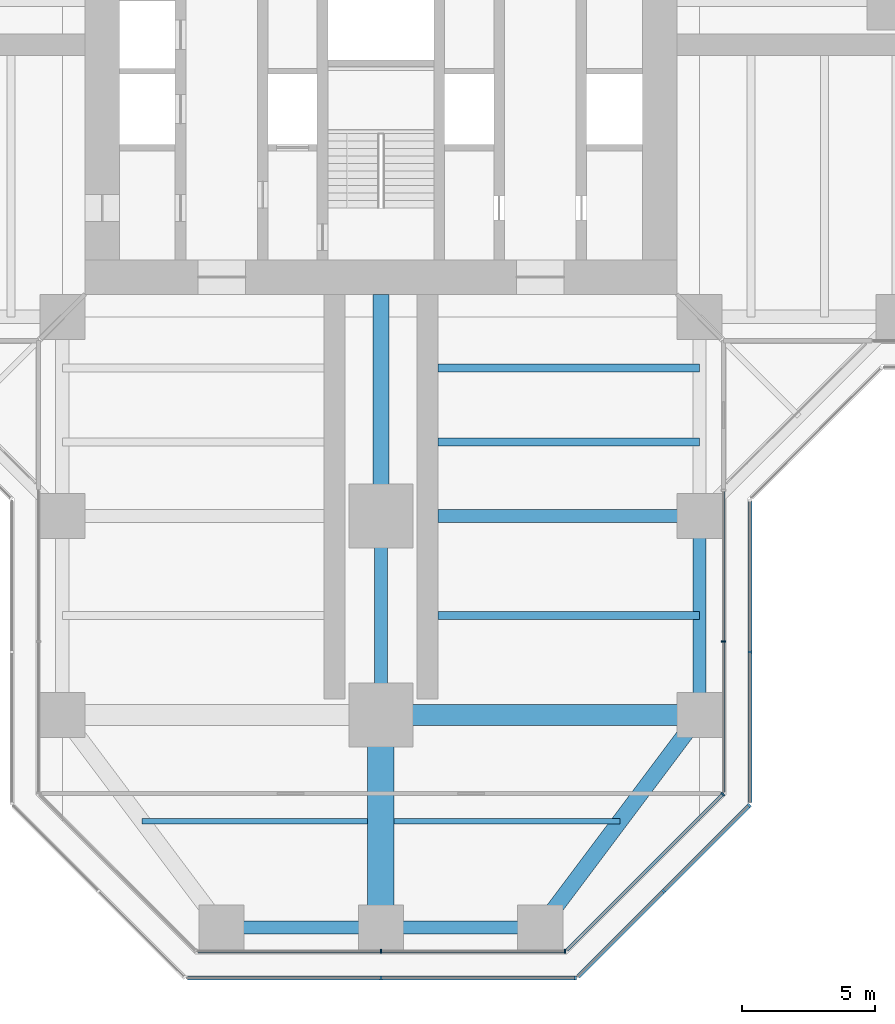
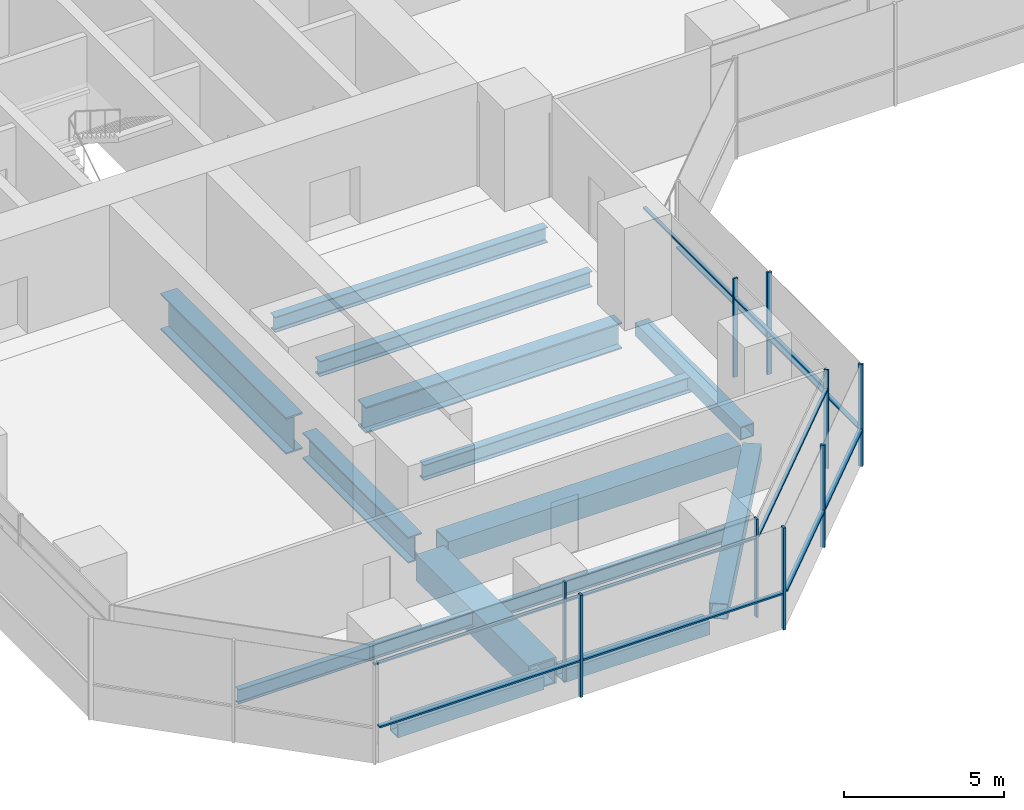
# One storey, part 5 of 22: 20 members, 14 beams, 6 elements without a shape of their own.
"""IFC4 building model written with IfcOpenShell, lengths in metres."""

from ifc_helpers import new_model, si_unit, direction, frame, origin, origin_2d, place, context, subcontext, project, spatial, rectangle, hollow_rectangle, i_section, extrude, material, material_profile, profile_set, type_object, element, aggregate, save


model = new_model("IFC4")

# Units and contexts
model_context = context("Model", 3, precision=1e-05, world=origin(), true_north=direction((0.0, 1.0)))
body_context = subcontext(model_context, "Body", "Model", "MODEL_VIEW")
ifc_project = project(units=[si_unit("LENGTHUNIT", "METRE"), si_unit("AREAUNIT", "SQUARE_METRE"), si_unit("VOLUMEUNIT", "CUBIC_METRE"), si_unit("PLANEANGLEUNIT", "RADIAN"), si_unit("MASSUNIT", "GRAM", prefix="KILO")], contexts=[model_context])

# Site, building, storey
site_placement = place(None, origin())
site = spatial("IfcSite", under=ifc_project, at=site_placement, CompositionType="ELEMENT")
building_placement = place(site_placement, origin())
building = spatial("IfcBuilding", under=site, at=building_placement, Name="Mizan Broadcast Tower", CompositionType="ELEMENT")
storey_placement = place(building_placement, frame((0.0, 0.0, 74.699951171875)))
storey = spatial("IfcBuildingStorey", under=building, at=storey_placement, Name="L15", CompositionType="ELEMENT", Elevation=74.699951171875)

# Beams
ifc_material_1 = material(Name="Steel S355", Category="steel")
ifc_material_profile_1 = material_profile(ifc_material_1, hollow_rectangle(XDim=0.5, YDim=0.5, WallThickness=0.030029296875, at=origin_2d()), Name="BOX 500x500x30")
ifc_profile_set_1 = profile_set([ifc_material_profile_1], Name="Steel S355")
beam_type_1 = type_object("IfcBeamType", Name="EDGE BEAM BOX 500x500x30", PredefinedType="SPANDREL", material=ifc_profile_set_1)
beam_1_placement = place(storey_placement, frame((-5.639892578125, -35.0, -0.3798828125), z_axis=(1.0, 0.0, 0.0), x_axis=(0.0, 1.0, 0.0)))
element("IfcBeam", 1, at=beam_1_placement, inside=storey, type_object=beam_type_1, Name="Edge beam BOX 500x500x30 L15 south arm", PredefinedType="SPANDREL", context=body_context, shape_type="SweptSolid", body=[
    extrude(hollow_rectangle(XDim=0.5, YDim=0.5, WallThickness=0.030029296875, at=origin_2d()), origin(), (0.0, 0.0, 1.0), 5.27978515625),
])
beam_2_placement = place(storey_placement, frame((12.0, -19.949951171875, -0.3798828125), z_axis=(0.0, -1.0, 0.0), x_axis=(1.0, 0.0, 0.0)))
element("IfcBeam", 2, at=beam_2_placement, inside=storey, type_object=beam_type_1, Name="Edge beam BOX 500x500x30 L15 south arm", PredefinedType="SPANDREL", context=body_context, shape_type="SweptSolid", body=[
    extrude(hollow_rectangle(XDim=0.5, YDim=0.5, WallThickness=0.030029296875, at=origin_2d()), origin(), (0.0, 0.0, 1.0), 6.60009765625),
])
beam_3_placement = place(storey_placement, frame((5.639892578125, -35.0, -0.3798828125), z_axis=(-1.0, 0.0, 0.0), x_axis=(0.0, -1.0, 0.0)))
element("IfcBeam", 3, at=beam_3_placement, inside=storey, type_object=beam_type_1, Name="Edge beam BOX 500x500x30 L15 south arm", PredefinedType="SPANDREL", context=body_context, shape_type="SweptSolid", body=[
    extrude(hollow_rectangle(XDim=0.5, YDim=0.5, WallThickness=0.030029296875, at=origin_2d()), origin(), (0.0, 0.0, 1.0), 5.27978515625),
])
ifc_material_2 = material(Name="Steel S355", Category="steel")
ifc_material_profile_2 = material_profile(ifc_material_2, hollow_rectangle(XDim=0.60009765625, YDim=0.60009765625, WallThickness=0.030029296875, at=origin_2d()), Name="BOX 600x600x30")
ifc_profile_set_2 = profile_set([ifc_material_profile_2], Name="Steel S355")
beam_type_2 = type_object("IfcBeamType", Name="EDGE BEAM BOX 600x600x30", PredefinedType="SPANDREL", material=ifc_profile_set_2)
beam_4_placement = place(storey_placement, frame((11.639892578125, -27.47998046875, -0.429931640625), z_axis=(-0.599982243973, -0.800013316712, 0.0), x_axis=(0.800013316712, -0.599982243973, 0.0)))
element("IfcBeam", 4, at=beam_4_placement, inside=storey, type_object=beam_type_2, Name="Edge beam BOX 600x600x30 L15 south arm", PredefinedType="SPANDREL", context=body_context, shape_type="SweptSolid", body=[
    extrude(hollow_rectangle(XDim=0.60009765625, YDim=0.60009765625, WallThickness=0.030029296875, at=origin_2d()), origin(), (0.0, 0.0, 1.0), 8.7998046875),
])
ifc_material_3 = material(Name="Steel S460", Category="steel")
ifc_material_profile_3 = material_profile(ifc_material_3, hollow_rectangle(XDim=1.0, YDim=1.0, WallThickness=0.06005859375, at=origin_2d()), Name="BOX 1000x1000x60")
ifc_profile_set_3 = profile_set([ifc_material_profile_3], Name="Steel S460")
beam_type_3 = type_object("IfcBeamType", Name="GIRDER BOX 1000x1000x60", PredefinedType="BEAM", material=ifc_profile_set_3)
beam_5_placement = place(storey_placement, frame((0.0, -27.47998046875, -0.6298828125), z_axis=(0.0, -1.0, 0.0), x_axis=(1.0, 0.0, 0.0)))
element("IfcBeam", 5, at=beam_5_placement, inside=storey, type_object=beam_type_3, Name="Girder BOX 1000x1000x60 L15 south arm", PredefinedType="BEAM", context=body_context, shape_type="SweptSolid", body=[
    extrude(hollow_rectangle(XDim=1.0, YDim=1.0, WallThickness=0.06005859375, at=origin_2d()), origin(), (0.0, 0.0, 1.0), 7.0400390625),
])
ifc_material_4 = material(Name="Steel S460", Category="steel")
ifc_material_profile_4 = material_profile(ifc_material_4, hollow_rectangle(XDim=0.800048828125, YDim=0.800048828125, WallThickness=0.050048828125, at=origin_2d()), Name="BOX 800x800x50")
ifc_profile_set_4 = profile_set([ifc_material_profile_4], Name="Steel S460")
beam_type_4 = type_object("IfcBeamType", Name="GIRDER BOX 800x800x50", PredefinedType="BEAM", material=ifc_profile_set_4)
beam_6_placement = place(storey_placement, frame((11.280029296875, -27.0, -0.530029296875), z_axis=(-1.0, 0.0, 0.0), x_axis=(0.0, -1.0, 0.0)))
element("IfcBeam", 6, at=beam_6_placement, inside=storey, type_object=beam_type_4, Name="Girder BOX 800x800x50 L15 south arm", PredefinedType="BEAM", context=body_context, shape_type="SweptSolid", body=[
    extrude(hollow_rectangle(XDim=0.800048828125, YDim=0.800048828125, WallThickness=0.050048828125, at=origin_2d()), origin(), (0.0, 0.0, 1.0), 10.56005859375),
])
ifc_material_5 = material(Name="Steel S460", Category="steel")
ifc_material_profile_5 = material_profile(ifc_material_5, i_section(OverallWidth=0.5, OverallDepth=1.0, WebThickness=0.02490234375, FlangeThickness=0.050048828125, at=origin_2d()), Name="WPG 1000x500")
ifc_profile_set_5 = profile_set([ifc_material_profile_5], Name="Steel S460")
beam_type_5 = type_object("IfcBeamType", Name="GIRDER WPG 1000x500", PredefinedType="BEAM", material=ifc_profile_set_5)
beam_7_placement = place(storey_placement, frame((0.0, -19.949951171875, -0.6298828125), z_axis=(0.0, -1.0, 0.0), x_axis=(1.0, 0.0, 0.0)))
element("IfcBeam", 7, at=beam_7_placement, inside=storey, type_object=beam_type_5, Name="Girder WPG 1000x500 L15 south arm", PredefinedType="BEAM", context=body_context, shape_type="SweptSolid", body=[
    extrude(i_section(OverallWidth=0.5, OverallDepth=1.0, WebThickness=0.02490234375, FlangeThickness=0.050048828125, at=origin_2d()), origin(), (0.0, 0.0, 1.0), 6.60009765625),
])
beam_8_placement = place(storey_placement, frame((11.408935546875, -19.5, -0.6298828125), z_axis=(-1.0, 0.0, 0.0), x_axis=(0.0, -1.0, 0.0)))
element("IfcBeam", 8, at=beam_8_placement, inside=storey, type_object=beam_type_5, Name="Girder WPG 1000x500 L15 south arm", PredefinedType="BEAM", context=body_context, shape_type="SweptSolid", body=[
    extrude(i_section(OverallWidth=0.5, OverallDepth=1.0, WebThickness=0.02490234375, FlangeThickness=0.050048828125, at=origin_2d()), origin(), (0.0, 0.0, 1.0), 9.259033203125),
])
ifc_material_6 = material(Name="Steel S460", Category="steel")
ifc_material_profile_6 = material_profile(ifc_material_6, i_section(OverallWidth=0.60009765625, OverallDepth=1.39990234375, WebThickness=0.02490234375, FlangeThickness=0.06005859375, at=origin_2d()), Name="WPG 1400x600")
ifc_profile_set_6 = profile_set([ifc_material_profile_6], Name="Steel S460")
beam_type_6 = type_object("IfcBeamType", Name="GIRDER WPG 1400x600", PredefinedType="BEAM", material=ifc_profile_set_6)
beam_9_placement = place(storey_placement, frame((0.0, -11.14990234375, -0.829833984375), z_axis=(0.0, -1.0, 0.0), x_axis=(1.0, 0.0, 0.0)))
element("IfcBeam", 9, at=beam_9_placement, inside=storey, type_object=beam_type_6, Name="Girder WPG 1400x600 L15 south arm", PredefinedType="BEAM", context=body_context, shape_type="SweptSolid", body=[
    extrude(i_section(OverallWidth=0.60009765625, OverallDepth=1.39990234375, WebThickness=0.02490234375, FlangeThickness=0.06005859375, at=origin_2d()), origin(), (0.0, 0.0, 1.0), 7.84912109375),
])

# Curtain wall, members
ifc_material_7 = material(Name="Aluminium framed glazing", Category="aluminium")
curtain_wall_type_1 = type_object("IfcCurtainWallType", Name="INNER SKIN LOW ZONE", PredefinedType="USERDEFINED", material=ifc_material_7)
curtain_wall_1_placement = place(storey_placement, origin())
curtain_wall_1 = element("IfcCurtainWall", 10, at=curtain_wall_1_placement, inside=storey, type_object=curtain_wall_type_1, Name="Inner skin low zone L15 S end", ObjectType="INNER SKIN LOW ZONE", PredefinedType="USERDEFINED")
ifc_material_8 = material(Name="Aluminium, pale anodised", Category="aluminium")
ifc_material_profile_7 = material_profile(ifc_material_8, rectangle(XDim=0.159912109375, YDim=0.06005859375, at=origin_2d()), Name="MULLION 160x60")
ifc_profile_set_7 = profile_set([ifc_material_profile_7], Name="Aluminium, pale anodised")
member_type_1 = type_object("IfcMemberType", Name="INNER SKIN MULLION 60x160", PredefinedType="MULLION", material=ifc_profile_set_7)
member_1_placement = place(storey_placement, frame((0.0, -35.89990234375, 0.0), z_axis=(0.0, 0.0, 1.0), x_axis=(0.0, 1.0, 0.0)))
member_1 = element("IfcMember", 11, at=member_1_placement, type_object=member_type_1, Name="Inner skin low zone L15 S end mullion 2", PredefinedType="MULLION", context=body_context, shape_type="SweptSolid", body=[
    extrude(rectangle(XDim=0.159912109375, YDim=0.06005859375, at=origin_2d()), origin(), (0.0, 0.0, 1.0), 3.77001953125),
])
member_2_placement = place(storey_placement, frame((6.928466796875, -35.89990234375, 0.0), z_axis=(0.0, 0.0, 1.0), x_axis=(0.0, 1.0, 0.0)))
member_2 = element("IfcMember", 12, at=member_2_placement, type_object=member_type_1, Name="Inner skin low zone L15 S end mullion 3", PredefinedType="MULLION", context=body_context, shape_type="SweptSolid", body=[
    extrude(rectangle(XDim=0.159912109375, YDim=0.06005859375, at=origin_2d()), origin(), (0.0, 0.0, 1.0), 3.77001953125),
])

# Curtain wall, member
curtain_wall_2_placement = place(storey_placement, origin())
curtain_wall_2 = element("IfcCurtainWall", 13, at=curtain_wall_2_placement, inside=storey, type_object=curtain_wall_type_1, Name="Inner skin low zone L15 S chamfer", ObjectType="INNER SKIN LOW ZONE", PredefinedType="USERDEFINED")
member_3_placement = place(storey_placement, frame((12.87890625, -29.979736328125, 0.0), z_axis=(0.0, 0.0, 1.0), x_axis=(-0.707106781187, 0.707106781187, 0.0)))
member_3 = element("IfcMember", 14, at=member_3_placement, type_object=member_type_1, Name="Inner skin low zone L15 S chamfer mullion 2", PredefinedType="MULLION", context=body_context, shape_type="SweptSolid", body=[
    extrude(rectangle(XDim=0.159912109375, YDim=0.06005859375, at=origin_2d()), origin(), (0.0, 0.0, 1.0), 3.77001953125),
])

curtain_wall_3_placement = place(storey_placement, origin())
curtain_wall_3 = element("IfcCurtainWall", 15, at=curtain_wall_3_placement, inside=storey, type_object=curtain_wall_type_1, Name="Inner skin low zone L15 S side", ObjectType="INNER SKIN LOW ZONE", PredefinedType="USERDEFINED")
member_4_placement = place(storey_placement, frame((12.89990234375, -24.229248046875, 0.0), z_axis=(0.0, 0.0, 1.0), x_axis=(-1.0, 0.0, 0.0)))
member_4 = element("IfcMember", 16, at=member_4_placement, type_object=member_type_1, Name="Inner skin low zone L15 S side mullion 2", PredefinedType="MULLION", context=body_context, shape_type="SweptSolid", body=[
    extrude(rectangle(XDim=0.159912109375, YDim=0.06005859375, at=origin_2d()), origin(), (0.0, 0.0, 1.0), 3.77001953125),
])

# Member
ifc_material_9 = material(Name="Aluminium, pale anodised", Category="aluminium")
ifc_material_profile_8 = material_profile(ifc_material_9, rectangle(XDim=0.1201171875, YDim=0.06005859375, at=origin_2d()), Name="TRANSOM 120x60")
ifc_profile_set_8 = profile_set([ifc_material_profile_8], Name="Aluminium, pale anodised")
member_type_2 = type_object("IfcMemberType", Name="INNER SKIN TRANSOM 60x120", PredefinedType="USERDEFINED", material=ifc_profile_set_8)
member_5_placement = place(storey_placement, frame((-6.898681640625, -35.89990234375, 3.030029296875), z_axis=(1.0, 0.0, 0.0), x_axis=(0.0, 1.0, 0.0)))
member_5 = element("IfcMember", 17, at=member_5_placement, type_object=member_type_2, Name="Inner skin low zone L15 S end transom 1.1", ObjectType="TRANSOM", PredefinedType="USERDEFINED", context=body_context, shape_type="SweptSolid", body=[
    extrude(rectangle(XDim=0.1201171875, YDim=0.06005859375, at=origin_2d()), origin(), (0.0, 0.0, 1.0), 6.86865234375),
])

member_6_placement = place(storey_placement, frame((0.030029296875, -35.89990234375, 3.030029296875), z_axis=(1.0, 0.0, 0.0), x_axis=(0.0, 1.0, 0.0)))
member_6 = element("IfcMember", 18, at=member_6_placement, type_object=member_type_2, Name="Inner skin low zone L15 S end transom 2.1", ObjectType="TRANSOM", PredefinedType="USERDEFINED", context=body_context, shape_type="SweptSolid", body=[
    extrude(rectangle(XDim=0.1201171875, YDim=0.06005859375, at=origin_2d()), origin(), (0.0, 0.0, 1.0), 6.86865234375),
])

aggregate(curtain_wall_1, [member_1, member_2, member_5, member_6])

member_7_placement = place(storey_placement, frame((7.0009765625, -35.857666015625, 3.030029296875), z_axis=(0.707106781187, 0.707106781187, 0.0), x_axis=(-0.707106781187, 0.707106781187, 0.0)))
member_7 = element("IfcMember", 19, at=member_7_placement, type_object=member_type_2, Name="Inner skin low zone L15 S chamfer transom 1.1", ObjectType="TRANSOM", PredefinedType="USERDEFINED", context=body_context, shape_type="SweptSolid", body=[
    extrude(rectangle(XDim=0.1201171875, YDim=0.06005859375, at=origin_2d()), origin(), (0.0, 0.0, 1.0), 8.28271484375),
])

aggregate(curtain_wall_2, [member_3, member_7])

member_8_placement = place(storey_placement, frame((12.89990234375, -29.898681640625, 3.030029296875), z_axis=(0.0, 1.0, 0.0), x_axis=(-1.0, 0.0, 0.0)))
member_8 = element("IfcMember", 20, at=member_8_placement, type_object=member_type_2, Name="Inner skin low zone L15 S side transom 1.1", ObjectType="TRANSOM", PredefinedType="USERDEFINED", context=body_context, shape_type="SweptSolid", body=[
    extrude(rectangle(XDim=0.1201171875, YDim=0.06005859375, at=origin_2d()), origin(), (0.0, 0.0, 1.0), 5.639404296875),
])

member_9_placement = place(storey_placement, frame((12.89990234375, -24.19921875, 3.030029296875), z_axis=(0.0, 1.0, 0.0), x_axis=(-1.0, 0.0, 0.0)))
member_9 = element("IfcMember", 21, at=member_9_placement, type_object=member_type_2, Name="Inner skin low zone L15 S side transom 2.1", ObjectType="TRANSOM", PredefinedType="USERDEFINED", context=body_context, shape_type="SweptSolid", body=[
    extrude(rectangle(XDim=0.1201171875, YDim=0.06005859375, at=origin_2d()), origin(), (0.0, 0.0, 1.0), 5.63916015625),
])

aggregate(curtain_wall_3, [member_4, member_8, member_9])

# Curtain wall, members
ifc_material_10 = material(Name="Aluminium framed glazing", Category="aluminium")
curtain_wall_type_2 = type_object("IfcCurtainWallType", Name="OUTER SKIN", PredefinedType="USERDEFINED", material=ifc_material_10)
curtain_wall_4_placement = place(storey_placement, origin())
curtain_wall_4 = element("IfcCurtainWall", 22, at=curtain_wall_4_placement, inside=storey, type_object=curtain_wall_type_2, Name="Outer skin L15 S end", ObjectType="OUTER SKIN", PredefinedType="USERDEFINED")
ifc_material_11 = material(Name="Aluminium, pale anodised", Category="aluminium")
ifc_material_profile_9 = material_profile(ifc_material_11, rectangle(XDim=0.159912109375, YDim=0.080078125, at=origin_2d()), Name="MULLION 160x80")
ifc_profile_set_9 = profile_set([ifc_material_profile_9], Name="Aluminium, pale anodised")
member_type_3 = type_object("IfcMemberType", Name="OUTER SKIN MULLION 80x160", PredefinedType="MULLION", material=ifc_profile_set_9)
member_10_placement = place(storey_placement, frame((0.0, -36.89990234375, 0.0), z_axis=(0.0, 0.0, 1.0), x_axis=(0.0, 1.0, 0.0)))
member_10 = element("IfcMember", 23, at=member_10_placement, type_object=member_type_3, Name="Outer skin L15 S end mullion 2", PredefinedType="MULLION", context=body_context, shape_type="SweptSolid", body=[
    extrude(rectangle(XDim=0.159912109375, YDim=0.080078125, at=origin_2d()), origin(), (0.0, 0.0, 1.0), 3.900146484375),
])
member_11_placement = place(storey_placement, frame((7.332763671875, -36.89990234375, 0.0), z_axis=(0.0, 0.0, 1.0), x_axis=(0.0, 1.0, 0.0)))
member_11 = element("IfcMember", 24, at=member_11_placement, type_object=member_type_3, Name="Outer skin L15 S end mullion 3", PredefinedType="MULLION", context=body_context, shape_type="SweptSolid", body=[
    extrude(rectangle(XDim=0.159912109375, YDim=0.080078125, at=origin_2d()), origin(), (0.0, 0.0, 1.0), 3.900146484375),
])

curtain_wall_5_placement = place(storey_placement, origin())
curtain_wall_5 = element("IfcCurtainWall", 25, at=curtain_wall_5_placement, inside=storey, type_object=curtain_wall_type_2, Name="Outer skin L15 S chamfer", ObjectType="OUTER SKIN", PredefinedType="USERDEFINED")
member_12_placement = place(storey_placement, frame((10.636474609375, -33.636474609375, 0.0), z_axis=(0.0, 0.0, 1.0), x_axis=(-0.707106781187, 0.707106781187, 0.0)))
member_12 = element("IfcMember", 26, at=member_12_placement, type_object=member_type_3, Name="Outer skin L15 S chamfer mullion 2", PredefinedType="MULLION", context=body_context, shape_type="SweptSolid", body=[
    extrude(rectangle(XDim=0.159912109375, YDim=0.080078125, at=origin_2d()), origin(), (0.0, 0.0, 1.0), 3.900146484375),
])
member_13_placement = place(storey_placement, frame((13.871826171875, -30.401123046875, 0.0), z_axis=(0.0, 0.0, 1.0), x_axis=(-0.707106781187, 0.707106781187, 0.0)))
member_13 = element("IfcMember", 27, at=member_13_placement, type_object=member_type_3, Name="Outer skin L15 S chamfer mullion 3", PredefinedType="MULLION", context=body_context, shape_type="SweptSolid", body=[
    extrude(rectangle(XDim=0.159912109375, YDim=0.080078125, at=origin_2d()), origin(), (0.0, 0.0, 1.0), 3.900146484375),
])

# Curtain wall, member
curtain_wall_6_placement = place(storey_placement, origin())
curtain_wall_6 = element("IfcCurtainWall", 28, at=curtain_wall_6_placement, inside=storey, type_object=curtain_wall_type_2, Name="Outer skin L15 S side", ObjectType="OUTER SKIN", PredefinedType="USERDEFINED")
member_14_placement = place(storey_placement, frame((13.89990234375, -24.622802734375, 0.0), z_axis=(0.0, 0.0, 1.0), x_axis=(-1.0, 0.0, 0.0)))
member_14 = element("IfcMember", 29, at=member_14_placement, type_object=member_type_3, Name="Outer skin L15 S side mullion 2", PredefinedType="MULLION", context=body_context, shape_type="SweptSolid", body=[
    extrude(rectangle(XDim=0.159912109375, YDim=0.080078125, at=origin_2d()), origin(), (0.0, 0.0, 1.0), 3.900146484375),
])

# Member
ifc_material_12 = material(Name="Aluminium, pale anodised", Category="aluminium")
ifc_material_profile_10 = material_profile(ifc_material_12, rectangle(XDim=0.159912109375, YDim=0.06005859375, at=origin_2d()), Name="TRANSOM 160x60")
ifc_profile_set_10 = profile_set([ifc_material_profile_10], Name="Aluminium, pale anodised")
member_type_4 = type_object("IfcMemberType", Name="OUTER SKIN TRANSOM 60x160", PredefinedType="USERDEFINED", material=ifc_profile_set_10)
member_15_placement = place(storey_placement, frame((-7.292724609375, -36.89990234375, 1.400146484375), z_axis=(1.0, 0.0, 0.0), x_axis=(0.0, 1.0, 0.0)))
member_15 = element("IfcMember", 30, at=member_15_placement, type_object=member_type_4, Name="Outer skin L15 S end transom 1.1", ObjectType="TRANSOM", PredefinedType="USERDEFINED", context=body_context, shape_type="SweptSolid", body=[
    extrude(rectangle(XDim=0.159912109375, YDim=0.06005859375, at=origin_2d()), origin(), (0.0, 0.0, 1.0), 7.252685546875),
])

member_16_placement = place(storey_placement, frame((0.0400390625, -36.89990234375, 1.400146484375), z_axis=(1.0, 0.0, 0.0), x_axis=(0.0, 1.0, 0.0)))
member_16 = element("IfcMember", 31, at=member_16_placement, type_object=member_type_4, Name="Outer skin L15 S end transom 2.1", ObjectType="TRANSOM", PredefinedType="USERDEFINED", context=body_context, shape_type="SweptSolid", body=[
    extrude(rectangle(XDim=0.159912109375, YDim=0.06005859375, at=origin_2d()), origin(), (0.0, 0.0, 1.0), 7.252685546875),
])

aggregate(curtain_wall_4, [member_10, member_11, member_15, member_16])

member_17_placement = place(storey_placement, frame((7.429443359375, -36.843505859375, 1.400146484375), z_axis=(0.707106781187, 0.707106781187, 0.0), x_axis=(-0.707106781187, 0.707106781187, 0.0)))
member_17 = element("IfcMember", 32, at=member_17_placement, type_object=member_type_4, Name="Outer skin L15 S chamfer transom 1.1", ObjectType="TRANSOM", PredefinedType="USERDEFINED", context=body_context, shape_type="SweptSolid", body=[
    extrude(rectangle(XDim=0.159912109375, YDim=0.06005859375, at=origin_2d()), origin(), (0.0, 0.0, 1.0), 4.495361328125),
])

member_18_placement = place(storey_placement, frame((10.664794921875, -33.608154296875, 1.400146484375), z_axis=(0.707106781187, 0.707106781187, 0.0), x_axis=(-0.707106781187, 0.707106781187, 0.0)))
member_18 = element("IfcMember", 33, at=member_18_placement, type_object=member_type_4, Name="Outer skin L15 S chamfer transom 2.1", ObjectType="TRANSOM", PredefinedType="USERDEFINED", context=body_context, shape_type="SweptSolid", body=[
    extrude(rectangle(XDim=0.159912109375, YDim=0.06005859375, at=origin_2d()), origin(), (0.0, 0.0, 1.0), 4.495361328125),
])

aggregate(curtain_wall_5, [member_12, member_13, member_17, member_18])

member_19_placement = place(storey_placement, frame((13.89990234375, -30.292724609375, 1.400146484375), z_axis=(0.0, 1.0, 0.0), x_axis=(-1.0, 0.0, 0.0)))
member_19 = element("IfcMember", 34, at=member_19_placement, type_object=member_type_4, Name="Outer skin L15 S side transom 1.1", ObjectType="TRANSOM", PredefinedType="USERDEFINED", context=body_context, shape_type="SweptSolid", body=[
    extrude(rectangle(XDim=0.159912109375, YDim=0.06005859375, at=origin_2d()), origin(), (0.0, 0.0, 1.0), 5.6298828125),
])

member_20_placement = place(storey_placement, frame((13.89990234375, -24.582763671875, 1.400146484375), z_axis=(0.0, 1.0, 0.0), x_axis=(-1.0, 0.0, 0.0)))
member_20 = element("IfcMember", 35, at=member_20_placement, type_object=member_type_4, Name="Outer skin L15 S side transom 2.1", ObjectType="TRANSOM", PredefinedType="USERDEFINED", context=body_context, shape_type="SweptSolid", body=[
    extrude(rectangle(XDim=0.159912109375, YDim=0.06005859375, at=origin_2d()), origin(), (0.0, 0.0, 1.0), 5.6298828125),
])

aggregate(curtain_wall_6, [member_14, member_19, member_20])

# Beams
ifc_material_13 = material(Name="Steel S355", Category="steel")
ifc_material_profile_11 = material_profile(ifc_material_13, i_section(OverallWidth=0.300048828125, OverallDepth=0.590087890625, WebThickness=0.012939453125, FlangeThickness=0.02490234375, FilletRadius=0.027099609375, at=origin_2d()), Name="HEA 600")
ifc_profile_set_11 = profile_set([ifc_material_profile_11], Name="Steel S355")
beam_type_7 = type_object("IfcBeamType", Name="SECONDARY BEAM HEA 600", PredefinedType="JOIST", material=ifc_profile_set_11)
for number, where, z_axis, x_axis, name in (
    (36, (12.0, -13.933349609375, -0.425048828125), (-1.0, 0.0, 0.0), (0.0, -1.0, 0.0), "Secondary beam HEA 600 L15 south arm"),
    (37, (12.0, -16.716552734375, -0.425048828125), (-1.0, 0.0, 0.0), (0.0, -1.0, 0.0), "Secondary beam HEA 600 L15 south arm"),
    (38, (12.0, -23.25, -0.425048828125), (-1.0, 0.0, 0.0), (0.0, -1.0, 0.0), "Secondary beam HEA 600 L15 south arm"),
):
    element("IfcBeam", number, at=place(storey_placement, frame(where, z_axis=z_axis, x_axis=x_axis)), inside=storey, type_object=beam_type_7, Name=name, PredefinedType="JOIST", context=body_context, shape_type="SweptSolid", body=[
        extrude(i_section(OverallWidth=0.300048828125, OverallDepth=0.590087890625, WebThickness=0.012939453125, FlangeThickness=0.02490234375, FilletRadius=0.027099609375, at=origin_2d()), origin(), (0.0, 0.0, 1.0), 9.85009765625),
    ])
ifc_material_14 = material(Name="Steel S355", Category="steel")
ifc_material_profile_12 = material_profile(ifc_material_14, i_section(OverallWidth=0.2099609375, OverallDepth=0.550048828125, WebThickness=0.010986328125, FlangeThickness=0.01708984375, FilletRadius=0.02392578125, at=origin_2d()), Name="IPE 550")
ifc_profile_set_12 = profile_set([ifc_material_profile_12], Name="Steel S355")
beam_type_8 = type_object("IfcBeamType", Name="SECONDARY BEAM IPE 550", PredefinedType="JOIST", material=ifc_profile_set_12)
for number, where, z_axis, x_axis, name in (
    (39, (-9.0, -31.0, -0.405029296875), (1.0, 0.0, 0.0), (0.0, 1.0, 0.0), "Secondary beam IPE 550 L15 south arm"),
    (40, (9.0, -31.0, -0.405029296875), (-1.0, 0.0, 0.0), (0.0, -1.0, 0.0), "Secondary beam IPE 550 L15 south arm"),
):
    element("IfcBeam", number, at=place(storey_placement, frame(where, z_axis=z_axis, x_axis=x_axis)), inside=storey, type_object=beam_type_8, Name=name, PredefinedType="JOIST", context=body_context, shape_type="SweptSolid", body=[
        extrude(i_section(OverallWidth=0.2099609375, OverallDepth=0.550048828125, WebThickness=0.010986328125, FlangeThickness=0.01708984375, FilletRadius=0.02392578125, at=origin_2d()), origin(), (0.0, 0.0, 1.0), 8.5),
    ])

save(model, "model.ifc")
